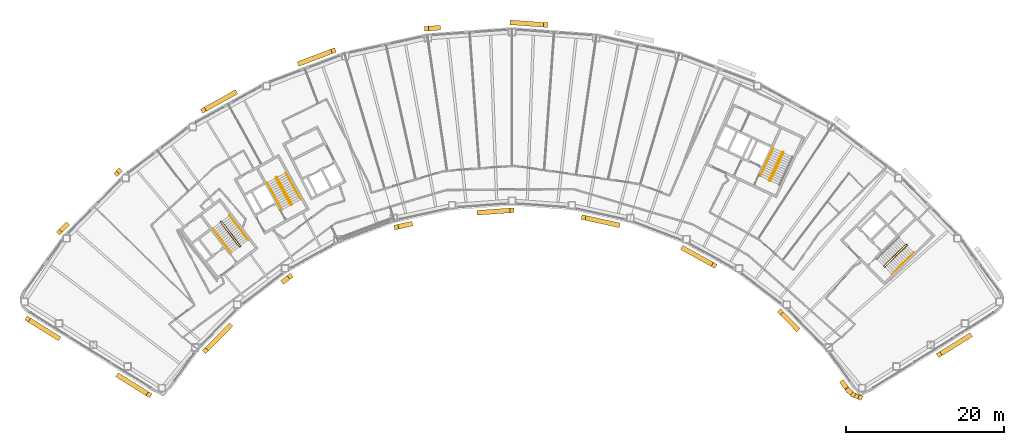
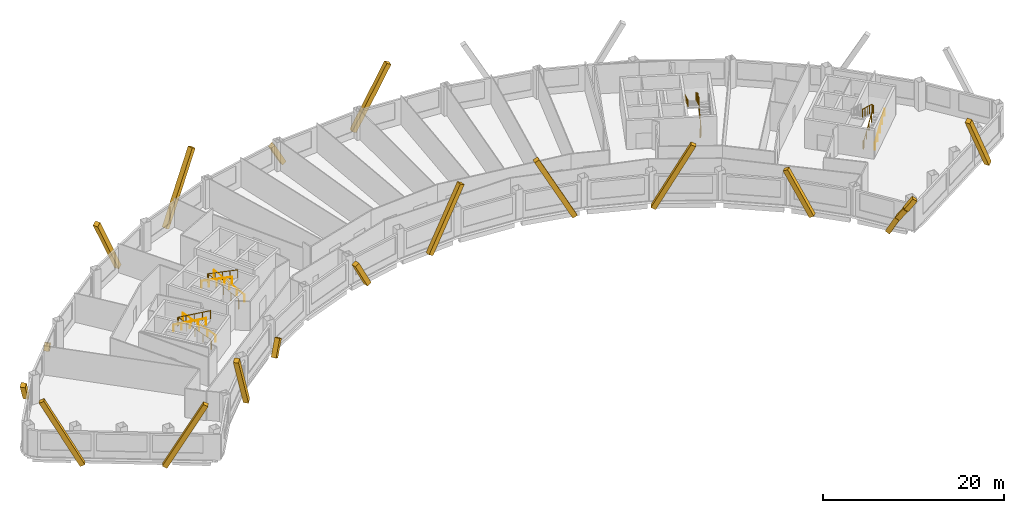
# One storey, part 12 of 13: 19 coverings, 10 railings.
"""IFC4 building model written with IfcOpenShell, lengths in metres."""

from ifc_helpers import new_model, si_unit, direction, frame, origin, origin_2d, place, context, subcontext, project, spatial, rectangle, circle, extrude, material, material_profile, profile_set, type_object, element, save


model = new_model("IFC4")

# Units and contexts
model_context = context("Model", 3, precision=1e-05, world=origin(), true_north=direction((0.0, 1.0)))
body_context = subcontext(model_context, "Body", "Model", "MODEL_VIEW")
ifc_project = project(units=[si_unit("LENGTHUNIT", "METRE"), si_unit("AREAUNIT", "SQUARE_METRE"), si_unit("VOLUMEUNIT", "CUBIC_METRE"), si_unit("PLANEANGLEUNIT", "RADIAN"), si_unit("MASSUNIT", "GRAM", prefix="KILO")], contexts=[model_context])

# Site, building, storey
site_placement = place(None, origin())
site = spatial("IfcSite", under=ifc_project, at=site_placement, CompositionType="ELEMENT")
building_placement = place(site_placement, origin())
building = spatial("IfcBuilding", under=site, at=building_placement, Name="Tuul Gate Civic Tower", CompositionType="ELEMENT")
storey_placement = place(building_placement, frame((0.0, 0.0, 180.5)))
storey = spatial("IfcBuildingStorey", under=building, at=storey_placement, Name="Level 41", CompositionType="ELEMENT", Elevation=180.5)

# Railings
ifc_material_1 = material(Name="Painted steel", Category="steel")
railing_type_1 = type_object("IfcRailingType", Name="Stair guard", PredefinedType="GUARDRAIL", material=ifc_material_1)
railing_1_placement = place(storey_placement, frame((-33.382080078125, -13.515380859375, 0.0)))
element("IfcRailing", 1, at=railing_1_placement, inside=storey, type_object=railing_type_1, Name="Level 41 ST-1 stair guard 1", PredefinedType="GUARDRAIL", context=body_context, shape_type="SweptSolid", body=[
    extrude(circle(Radius=0.02392578125, at=origin_2d()), frame((0.0, 0.0, 1.076171875), z_axis=(-0.795879841968, -0.605454603706, 0.0), x_axis=(0.605454603706, -0.795879841968, 0.0)), (0.0, 0.0, 1.0), 0.10009765625),
    extrude(circle(Radius=0.02392578125, at=origin_2d()), frame((-0.07958984375, -0.060546875, 1.076171875), z_axis=(0.408991890351, 0.599481263939, 0.688002796371), x_axis=(-0.826063974707, 0.563576356576, 0.0)), (0.0, 0.0, 1.0), 0.2177734375),
    extrude(circle(Radius=0.02392578125, at=origin_2d()), frame((0.009521484375, 0.070068359375, 1.22607421875), z_axis=(-0.541810893183, 0.711627203922, 0.44724454012), x_axis=(-0.795637165283, -0.60577347352, 0.0)), (0.0, 0.0, 1.0), 4.3603515625),
    extrude(circle(Radius=0.02392578125, at=origin_2d()), frame((-2.35302734375, 3.173095703125, 3.17626953125), z_axis=(-0.990893089246, 0.134650977284, 0.0), x_axis=(-0.134650977284, -0.990893089246, 0.0)), (0.0, 0.0, 1.0), 0.07080078125),
    extrude(circle(Radius=0.02392578125, at=origin_2d()), frame((-2.423095703125, 3.1826171875, 3.17626953125), z_axis=(-0.793802879778, -0.60817512943, 0.0), x_axis=(0.60817512943, -0.793802879778, 0.0)), (0.0, 0.0, 1.0), 0.099853515625),
    extrude(circle(Radius=0.02392578125, at=origin_2d()), frame((-2.50244140625, 3.121826171875, 3.17626953125), z_axis=(-0.057447065493, -0.422751481959, 0.904423031091), x_axis=(0.990893089246, -0.134650977284, 0.0)), (0.0, 0.0, 1.0), 0.165771484375),
    extrude(circle(Radius=0.02392578125, at=origin_2d()), frame((-2.511962890625, 3.0517578125, 3.326171875), z_axis=(0.541806494602, -0.71163897684, 0.447231136047), x_axis=(0.795644365679, 0.605764016233, 0.0)), (0.0, 0.0, 1.0), 4.360107421875),
    extrude(circle(Radius=0.02099609375, at=origin_2d()), origin(), (0.0, 0.0, 1.0), 1.052001953125),
    extrude(circle(Radius=0.02099609375, at=origin_2d()), frame((-0.07958984375, -0.060546875, 0.0)), (0.0, 0.0, 1.0), 1.052001953125),
    extrude(circle(Radius=0.02099609375, at=origin_2d()), frame((0.009521484375, 0.070068359375, 0.14990234375)), (0.0, 0.0, 1.0), 1.052001953125),
    extrude(circle(Radius=0.02099609375, at=origin_2d()), frame((-0.5810546875, 0.845703125, 0.637451171875)), (0.0, 0.0, 1.0), 1.052001953125),
    extrude(circle(Radius=0.02099609375, at=origin_2d()), frame((-1.171875, 1.62158203125, 1.125)), (0.0, 0.0, 1.0), 1.052001953125),
    extrude(circle(Radius=0.02099609375, at=origin_2d()), frame((-1.762451171875, 2.3974609375, 1.612548828125)), (0.0, 0.0, 1.0), 1.052001953125),
    extrude(circle(Radius=0.02099609375, at=origin_2d()), frame((-2.35302734375, 3.173095703125, 2.10009765625)), (0.0, 0.0, 1.0), 1.052001953125),
    extrude(circle(Radius=0.02099609375, at=origin_2d()), frame((-2.423095703125, 3.1826171875, 2.10009765625)), (0.0, 0.0, 1.0), 1.052001953125),
    extrude(circle(Radius=0.02099609375, at=origin_2d()), frame((-2.50244140625, 3.121826171875, 2.10009765625)), (0.0, 0.0, 1.0), 1.052001953125),
    extrude(circle(Radius=0.02099609375, at=origin_2d()), frame((-2.511962890625, 3.0517578125, 2.25)), (0.0, 0.0, 1.0), 1.052001953125),
    extrude(circle(Radius=0.02099609375, at=origin_2d()), frame((-1.92138671875, 2.276123046875, 2.737548828125)), (0.0, 0.0, 1.0), 1.052001953125),
    extrude(circle(Radius=0.02099609375, at=origin_2d()), frame((-1.330810546875, 1.50048828125, 3.22509765625)), (0.0, 0.0, 1.0), 1.052001953125),
    extrude(circle(Radius=0.02099609375, at=origin_2d()), frame((-0.740234375, 0.724609375, 3.71240234375)), (0.0, 0.0, 1.0), 1.052001953125),
    extrude(circle(Radius=0.02099609375, at=origin_2d()), frame((-0.149658203125, -0.051025390625, 4.199951171875)), (0.0, 0.0, 1.0), 1.052001953125),
])
railing_2_placement = place(storey_placement, frame((-26.857666015625, -8.247314453125, 0.0)))
element("IfcRailing", 2, at=railing_2_placement, inside=storey, type_object=railing_type_1, Name="Level 41 ST-2 stair guard 1", PredefinedType="GUARDRAIL", context=body_context, shape_type="SweptSolid", body=[
    extrude(circle(Radius=0.02392578125, at=origin_2d()), frame((0.0, 0.0, 1.076171875), z_axis=(-0.874616555828, -0.48481530532, 0.0), x_axis=(0.48481530532, -0.874616555828, 0.0)), (0.0, 0.0, 1.0), 0.10009765625),
    extrude(circle(Radius=0.02392578125, at=origin_2d()), frame((-0.087646484375, -0.048583984375, 1.076171875), z_axis=(0.49081399482, 0.534516610797, 0.688036056665), x_axis=(-0.736576986774, 0.676353711126, 0.0)), (0.0, 0.0, 1.0), 0.2177734375),
    extrude(circle(Radius=0.02392578125, at=origin_2d()), frame((0.019287109375, 0.06787109375, 1.22607421875), z_axis=(-0.433539057192, 0.782307594871, 0.447256875739), x_axis=(-0.874667644053, -0.484723129681, 0.0)), (0.0, 0.0, 1.0), 4.3603515625),
    extrude(circle(Radius=0.02392578125, at=origin_2d()), frame((-1.87109375, 3.47900390625, 3.17626953125), z_axis=(-0.961263487578, 0.275631107549, 0.0), x_axis=(-0.275631107549, -0.961263487578, 0.0)), (0.0, 0.0, 1.0), 0.07080078125),
    extrude(circle(Radius=0.02392578125, at=origin_2d()), frame((-1.939208984375, 3.49853515625, 3.17626953125), z_axis=(-0.874042088414, -0.485850211157, 0.0), x_axis=(0.485850211157, -0.874042088414, 0.0)), (0.0, 0.0, 1.0), 0.10009765625),
    extrude(circle(Radius=0.02392578125, at=origin_2d()), frame((-2.026611328125, 3.449951171875, 3.17626953125), z_axis=(-0.117866478395, -0.409586012422, 0.90462522168), x_axis=(0.961000426733, -0.276546885391, 0.0)), (0.0, 0.0, 1.0), 0.165771484375),
    extrude(circle(Radius=0.02392578125, at=origin_2d()), frame((-2.046142578125, 3.382080078125, 3.326171875), z_axis=(0.433595379963, -0.782308193291, 0.447201226726), x_axis=(0.874641102302, 0.484771020343, 0.0)), (0.0, 0.0, 1.0), 4.3603515625),
    extrude(circle(Radius=0.02099609375, at=origin_2d()), origin(), (0.0, 0.0, 1.0), 1.052001953125),
    extrude(circle(Radius=0.02099609375, at=origin_2d()), frame((-0.087646484375, -0.048583984375, 0.0)), (0.0, 0.0, 1.0), 1.052001953125),
    extrude(circle(Radius=0.02099609375, at=origin_2d()), frame((0.019287109375, 0.06787109375, 0.14990234375)), (0.0, 0.0, 1.0), 1.052001953125),
    extrude(circle(Radius=0.02099609375, at=origin_2d()), frame((-0.453369140625, 0.920654296875, 0.637451171875)), (0.0, 0.0, 1.0), 1.052001953125),
    extrude(circle(Radius=0.02099609375, at=origin_2d()), frame((-0.92578125, 1.7734375, 1.125)), (0.0, 0.0, 1.0), 1.052001953125),
    extrude(circle(Radius=0.02099609375, at=origin_2d()), frame((-1.3984375, 2.626220703125, 1.612548828125)), (0.0, 0.0, 1.0), 1.052001953125),
    extrude(circle(Radius=0.02099609375, at=origin_2d()), frame((-1.87109375, 3.47900390625, 2.10009765625)), (0.0, 0.0, 1.0), 1.052001953125),
    extrude(circle(Radius=0.02099609375, at=origin_2d()), frame((-1.939208984375, 3.49853515625, 2.10009765625)), (0.0, 0.0, 1.0), 1.052001953125),
    extrude(circle(Radius=0.02099609375, at=origin_2d()), frame((-2.026611328125, 3.449951171875, 2.10009765625)), (0.0, 0.0, 1.0), 1.052001953125),
    extrude(circle(Radius=0.02099609375, at=origin_2d()), frame((-2.046142578125, 3.382080078125, 2.25)), (0.0, 0.0, 1.0), 1.052001953125),
    extrude(circle(Radius=0.02099609375, at=origin_2d()), frame((-1.573486328125, 2.529296875, 2.737548828125)), (0.0, 0.0, 1.0), 1.052001953125),
    extrude(circle(Radius=0.02099609375, at=origin_2d()), frame((-1.100830078125, 1.676513671875, 3.22509765625)), (0.0, 0.0, 1.0), 1.052001953125),
    extrude(circle(Radius=0.02099609375, at=origin_2d()), frame((-0.628173828125, 0.82373046875, 3.71240234375)), (0.0, 0.0, 1.0), 1.052001953125),
    extrude(circle(Radius=0.02099609375, at=origin_2d()), frame((-0.155517578125, -0.029052734375, 4.199951171875)), (0.0, 0.0, 1.0), 1.052001953125),
])
railing_3_placement = place(storey_placement, frame((48.10546875, -16.134765625, 0.0)))
element("IfcRailing", 3, at=railing_3_placement, inside=storey, type_object=railing_type_1, Name="Level 41 ST-3 stair guard 1", PredefinedType="GUARDRAIL", context=body_context, shape_type="SweptSolid", body=[
    extrude(circle(Radius=0.02392578125, at=origin_2d()), frame((0.0, 0.0, 1.076171875), z_axis=(-0.698506948293, 0.715603272202, 0.0), x_axis=(-0.715603272202, -0.698506948293, 0.0)), (0.0, 0.0, 1.0), 0.099853515625),
    extrude(circle(Radius=0.02392578125, at=origin_2d()), frame((-0.06982421875, 0.071533203125, 1.076171875), z_axis=(0.645446321009, -0.331687692741, 0.688027849131), x_axis=(0.457068866502, 0.889431307788, 0.0)), (0.0, 0.0, 1.0), 0.2177734375),
    extrude(circle(Radius=0.02392578125, at=origin_2d()), frame((0.07080078125, -0.000732421875, 1.22607421875), z_axis=(0.638715268259, 0.626117886127, 0.447235059857), x_axis=(-0.700029477518, 0.714113947914, 0.0)), (0.0, 0.0, 1.0), 4.360595703125),
    extrude(circle(Radius=0.02392578125, at=origin_2d()), frame((2.85595703125, 2.7294921875, 3.17626953125), z_axis=(0.010380063588, 0.999946125689, 0.0), x_axis=(-0.999946125689, 0.010380063588, 0.0)), (0.0, 0.0, 1.0), 0.070556640625),
    extrude(circle(Radius=0.02392578125, at=origin_2d()), frame((2.856689453125, 2.800048828125, 3.17626953125), z_axis=(-0.699754442181, 0.714383454909, 0.0), x_axis=(-0.714383454909, -0.699754442181, 0.0)), (0.0, 0.0, 1.0), 0.10009765625),
    extrude(circle(Radius=0.02392578125, at=origin_2d()), frame((2.78662109375, 2.87158203125, 3.17626953125), z_axis=(-0.427069033481, 0.004417955519, 0.904208229508), x_axis=(-0.010344274102, -0.999946496565, 0.0)), (0.0, 0.0, 1.0), 0.165771484375),
    extrude(circle(Radius=0.02392578125, at=origin_2d()), frame((2.7158203125, 2.872314453125, 3.326171875), z_axis=(-0.638731261263, -0.626133563701, 0.447190268558), x_axis=(0.700029477518, -0.714113947914, 0.0)), (0.0, 0.0, 1.0), 4.3603515625),
    extrude(circle(Radius=0.02099609375, at=origin_2d()), origin(), (0.0, 0.0, 1.0), 1.052001953125),
    extrude(circle(Radius=0.02099609375, at=origin_2d()), frame((-0.06982421875, 0.071533203125, 0.0)), (0.0, 0.0, 1.0), 1.052001953125),
    extrude(circle(Radius=0.02099609375, at=origin_2d()), frame((0.07080078125, -0.000732421875, 0.14990234375)), (0.0, 0.0, 1.0), 1.052001953125),
    extrude(circle(Radius=0.02099609375, at=origin_2d()), frame((0.76708984375, 0.681884765625, 0.637451171875)), (0.0, 0.0, 1.0), 1.052001953125),
    extrude(circle(Radius=0.02099609375, at=origin_2d()), frame((1.46337890625, 1.3642578125, 1.125)), (0.0, 0.0, 1.0), 1.052001953125),
    extrude(circle(Radius=0.02099609375, at=origin_2d()), frame((2.15966796875, 2.046875, 1.612548828125)), (0.0, 0.0, 1.0), 1.052001953125),
    extrude(circle(Radius=0.02099609375, at=origin_2d()), frame((2.85595703125, 2.7294921875, 2.10009765625)), (0.0, 0.0, 1.0), 1.052001953125),
    extrude(circle(Radius=0.02099609375, at=origin_2d()), frame((2.856689453125, 2.800048828125, 2.10009765625)), (0.0, 0.0, 1.0), 1.052001953125),
    extrude(circle(Radius=0.02099609375, at=origin_2d()), frame((2.78662109375, 2.87158203125, 2.10009765625)), (0.0, 0.0, 1.0), 1.052001953125),
    extrude(circle(Radius=0.02099609375, at=origin_2d()), frame((2.7158203125, 2.872314453125, 2.25)), (0.0, 0.0, 1.0), 1.052001953125),
    extrude(circle(Radius=0.02099609375, at=origin_2d()), frame((2.01953125, 2.189697265625, 2.737548828125)), (0.0, 0.0, 1.0), 1.052001953125),
    extrude(circle(Radius=0.02099609375, at=origin_2d()), frame((1.3232421875, 1.50732421875, 3.22509765625)), (0.0, 0.0, 1.0), 1.052001953125),
    extrude(circle(Radius=0.02099609375, at=origin_2d()), frame((0.626953125, 0.82470703125, 3.71240234375)), (0.0, 0.0, 1.0), 1.052001953125),
    extrude(circle(Radius=0.02099609375, at=origin_2d()), frame((-0.0693359375, 0.14208984375, 4.199951171875)), (0.0, 0.0, 1.0), 1.052001953125),
])
railing_4_placement = place(storey_placement, frame((33.645751953125, -5.238525390625, 0.0)))
element("IfcRailing", 4, at=railing_4_placement, inside=storey, type_object=railing_type_1, Name="Level 41 ST-4 stair guard 1", PredefinedType="GUARDRAIL", context=body_context, shape_type="SweptSolid", body=[
    extrude(circle(Radius=0.02392578125, at=origin_2d()), frame((0.0, 0.0, 1.076171875), z_axis=(-0.906307919131, 0.422617978463, 0.0), x_axis=(-0.422617978463, -0.906307919131, 0.0)), (0.0, 0.0, 1.0), 0.099853515625),
    extrude(circle(Radius=0.02392578125, at=origin_2d()), frame((-0.090576171875, 0.042236328125, 1.076171875), z_axis=(0.720735628292, -0.082946246491, 0.688229666829), x_axis=(0.114330889033, 0.993442724979, 0.0)), (0.0, 0.0, 1.0), 0.2177734375),
    extrude(circle(Radius=0.02392578125, at=origin_2d()), frame((0.06640625, 0.024169921875, 1.22607421875), z_axis=(0.377937439636, 0.810633814971, 0.447253965602), x_axis=(-0.906336612539, 0.422556439746, 0.0)), (0.0, 0.0, 1.0), 4.3603515625),
    extrude(circle(Radius=0.02392578125, at=origin_2d()), frame((1.71435546875, 3.558837890625, 3.17626953125), z_axis=(-0.342020437038, 0.939692513883, 0.0), x_axis=(-0.939692513883, -0.342020437038, 0.0)), (0.0, 0.0, 1.0), 0.070556640625),
    extrude(circle(Radius=0.02392578125, at=origin_2d()), frame((1.690185546875, 3.625244140625, 3.17626953125), z_axis=(-0.906307919131, 0.422617978463, 0.0), x_axis=(-0.422617978463, -0.906307919131, 0.0)), (0.0, 0.0, 1.0), 0.099853515625),
    extrude(circle(Radius=0.02392578125, at=origin_2d()), frame((1.599609375, 3.66748046875, 3.17626953125), z_axis=(-0.40070210376, -0.145843780413, 0.904526072458), x_axis=(0.342020437038, -0.939692513883, 0.0)), (0.0, 0.0, 1.0), 0.165771484375),
    extrude(circle(Radius=0.02392578125, at=origin_2d()), frame((1.533203125, 3.643310546875, 3.326171875), z_axis=(-0.377946903738, -0.810654114417, 0.447209173356), x_axis=(0.906336612539, -0.422556439746, 0.0)), (0.0, 0.0, 1.0), 4.3603515625),
    extrude(circle(Radius=0.02099609375, at=origin_2d()), origin(), (0.0, 0.0, 1.0), 1.052001953125),
    extrude(circle(Radius=0.02099609375, at=origin_2d()), frame((-0.090576171875, 0.042236328125, 0.0)), (0.0, 0.0, 1.0), 1.052001953125),
    extrude(circle(Radius=0.02099609375, at=origin_2d()), frame((0.06640625, 0.024169921875, 0.14990234375)), (0.0, 0.0, 1.0), 1.052001953125),
    extrude(circle(Radius=0.02099609375, at=origin_2d()), frame((0.478515625, 0.90771484375, 0.637451171875)), (0.0, 0.0, 1.0), 1.052001953125),
    extrude(circle(Radius=0.02099609375, at=origin_2d()), frame((0.890380859375, 1.79150390625, 1.125)), (0.0, 0.0, 1.0), 1.052001953125),
    extrude(circle(Radius=0.02099609375, at=origin_2d()), frame((1.30224609375, 2.67529296875, 1.612548828125)), (0.0, 0.0, 1.0), 1.052001953125),
    extrude(circle(Radius=0.02099609375, at=origin_2d()), frame((1.71435546875, 3.558837890625, 2.10009765625)), (0.0, 0.0, 1.0), 1.052001953125),
    extrude(circle(Radius=0.02099609375, at=origin_2d()), frame((1.690185546875, 3.625244140625, 2.10009765625)), (0.0, 0.0, 1.0), 1.052001953125),
    extrude(circle(Radius=0.02099609375, at=origin_2d()), frame((1.599609375, 3.66748046875, 2.10009765625)), (0.0, 0.0, 1.0), 1.052001953125),
    extrude(circle(Radius=0.02099609375, at=origin_2d()), frame((1.533203125, 3.643310546875, 2.25)), (0.0, 0.0, 1.0), 1.052001953125),
    extrude(circle(Radius=0.02099609375, at=origin_2d()), frame((1.12109375, 2.759765625, 2.737548828125)), (0.0, 0.0, 1.0), 1.052001953125),
    extrude(circle(Radius=0.02099609375, at=origin_2d()), frame((0.709228515625, 1.8759765625, 3.22509765625)), (0.0, 0.0, 1.0), 1.052001953125),
    extrude(circle(Radius=0.02099609375, at=origin_2d()), frame((0.29736328125, 0.9921875, 3.71240234375)), (0.0, 0.0, 1.0), 1.052001953125),
    extrude(circle(Radius=0.02099609375, at=origin_2d()), frame((-0.11474609375, 0.108642578125, 4.199951171875)), (0.0, 0.0, 1.0), 1.052001953125),
])
ifc_material_2 = material(Name="Painted steel", Category="steel")
railing_type_2 = type_object("IfcRailingType", Name="Stair handrail", PredefinedType="HANDRAIL", material=ifc_material_2)
railing_5_placement = place(storey_placement, frame((-32.3779296875, -12.688232421875, 0.14990234375)))
element("IfcRailing", 5, at=railing_5_placement, inside=storey, type_object=railing_type_2, Name="Level 41 ST-1 stair handrail 1", PredefinedType="HANDRAIL", context=body_context, shape_type="SweptSolid", body=[
    extrude(circle(Radius=0.02392578125, at=origin_2d()), frame((0.0, 0.0, 0.8759765625), z_axis=(-0.541810893183, 0.711627203922, 0.44724454012), x_axis=(-0.795637165283, -0.60577347352, 0.0)), (0.0, 0.0, 1.0), 4.3603515625),
    extrude(circle(Radius=0.02099609375, at=origin_2d()), origin(), (0.0, 0.0, 1.0), 0.851806640625),
    extrude(circle(Radius=0.02099609375, at=origin_2d()), frame((-0.590576171875, 0.77587890625, 0.487548828125)), (0.0, 0.0, 1.0), 0.851806640625),
    extrude(circle(Radius=0.02099609375, at=origin_2d()), frame((-1.18115234375, 1.551513671875, 0.97509765625)), (0.0, 0.0, 1.0), 0.851806640625),
    extrude(circle(Radius=0.02099609375, at=origin_2d()), frame((-1.77197265625, 2.3271484375, 1.462646484375)), (0.0, 0.0, 1.0), 0.851806640625),
    extrude(circle(Radius=0.02099609375, at=origin_2d()), frame((-2.362548828125, 3.10302734375, 1.9501953125)), (0.0, 0.0, 1.0), 0.851806640625),
])
railing_6_placement = place(storey_placement, frame((-36.888671875, -11.220703125, 2.25)))
element("IfcRailing", 6, at=railing_6_placement, inside=storey, type_object=railing_type_2, Name="Level 41 ST-1 stair handrail 2", PredefinedType="HANDRAIL", context=body_context, shape_type="SweptSolid", body=[
    extrude(circle(Radius=0.02392578125, at=origin_2d()), frame((0.0, 0.0, 0.8759765625), z_axis=(0.541824460341, -0.711645023348, 0.447199748346), x_axis=(0.795637165283, 0.60577347352, 0.0)), (0.0, 0.0, 1.0), 4.3603515625),
    extrude(circle(Radius=0.02099609375, at=origin_2d()), origin(), (0.0, 0.0, 1.0), 0.851806640625),
    extrude(circle(Radius=0.02099609375, at=origin_2d()), frame((0.590576171875, -0.77587890625, 0.487548828125)), (0.0, 0.0, 1.0), 0.851806640625),
    extrude(circle(Radius=0.02099609375, at=origin_2d()), frame((1.18115234375, -1.551513671875, 0.97509765625)), (0.0, 0.0, 1.0), 0.851806640625),
    extrude(circle(Radius=0.02099609375, at=origin_2d()), frame((1.77197265625, -2.3271484375, 1.46240234375)), (0.0, 0.0, 1.0), 0.851806640625),
    extrude(circle(Radius=0.02099609375, at=origin_2d()), frame((2.362548828125, -3.10302734375, 1.949951171875)), (0.0, 0.0, 1.0), 0.851806640625),
])
railing_7_placement = place(storey_placement, frame((-25.744873046875, -7.573486328125, 0.14990234375)))
element("IfcRailing", 7, at=railing_7_placement, inside=storey, type_object=railing_type_2, Name="Level 41 ST-2 stair handrail 1", PredefinedType="HANDRAIL", context=body_context, shape_type="SweptSolid", body=[
    extrude(circle(Radius=0.02392578125, at=origin_2d()), frame((0.0, 0.0, 0.8759765625), z_axis=(-0.433584522764, 0.782288604346, 0.447246018574), x_axis=(-0.874641102302, -0.484771020343, 0.0)), (0.0, 0.0, 1.0), 4.3603515625),
    extrude(circle(Radius=0.02099609375, at=origin_2d()), origin(), (0.0, 0.0, 1.0), 0.851806640625),
    extrude(circle(Radius=0.02099609375, at=origin_2d()), frame((-0.47265625, 0.852783203125, 0.487548828125)), (0.0, 0.0, 1.0), 0.851806640625),
    extrude(circle(Radius=0.02099609375, at=origin_2d()), frame((-0.9453125, 1.70556640625, 0.97509765625)), (0.0, 0.0, 1.0), 0.851806640625),
    extrude(circle(Radius=0.02099609375, at=origin_2d()), frame((-1.41796875, 2.558349609375, 1.462646484375)), (0.0, 0.0, 1.0), 0.851806640625),
    extrude(circle(Radius=0.02099609375, at=origin_2d()), frame((-1.890625, 3.4111328125, 1.9501953125)), (0.0, 0.0, 1.0), 0.851806640625),
])
railing_8_placement = place(storey_placement, frame((-29.9970703125, -5.47119140625, 2.25)))
element("IfcRailing", 8, at=railing_8_placement, inside=storey, type_object=railing_type_2, Name="Level 41 ST-2 stair handrail 2", PredefinedType="HANDRAIL", context=body_context, shape_type="SweptSolid", body=[
    extrude(circle(Radius=0.02392578125, at=origin_2d()), frame((0.0, 0.0, 0.8759765625), z_axis=(0.433595379963, -0.782308193291, 0.447201226726), x_axis=(0.874641102302, 0.484771020343, 0.0)), (0.0, 0.0, 1.0), 4.3603515625),
    extrude(circle(Radius=0.02099609375, at=origin_2d()), origin(), (0.0, 0.0, 1.0), 0.851806640625),
    extrude(circle(Radius=0.02099609375, at=origin_2d()), frame((0.47265625, -0.852783203125, 0.487548828125)), (0.0, 0.0, 1.0), 0.851806640625),
    extrude(circle(Radius=0.02099609375, at=origin_2d()), frame((0.9453125, -1.70556640625, 0.97509765625)), (0.0, 0.0, 1.0), 0.851806640625),
    extrude(circle(Radius=0.02099609375, at=origin_2d()), frame((1.41796875, -2.558349609375, 1.46240234375)), (0.0, 0.0, 1.0), 0.851806640625),
    extrude(circle(Radius=0.02099609375, at=origin_2d()), frame((1.890625, -3.4111328125, 1.949951171875)), (0.0, 0.0, 1.0), 0.851806640625),
])
railing_9_placement = place(storey_placement, frame((49.05126953125, -17.028076171875, 0.14990234375)))
element("IfcRailing", 9, at=railing_9_placement, inside=storey, type_object=railing_type_2, Name="Level 41 ST-3 stair handrail 1", PredefinedType="HANDRAIL", context=body_context, shape_type="SweptSolid", body=[
    extrude(circle(Radius=0.02392578125, at=origin_2d()), frame((0.0, 0.0, 0.8759765625), z_axis=(0.638737658801, 0.626083844733, 0.447250737947), x_axis=(-0.699997553204, 0.714145241186, 0.0)), (0.0, 0.0, 1.0), 4.3603515625),
    extrude(circle(Radius=0.02099609375, at=origin_2d()), origin(), (0.0, 0.0, 1.0), 0.851806640625),
    extrude(circle(Radius=0.02099609375, at=origin_2d()), frame((0.6962890625, 0.6826171875, 0.487548828125)), (0.0, 0.0, 1.0), 0.851806640625),
    extrude(circle(Radius=0.02099609375, at=origin_2d()), frame((1.392578125, 1.364990234375, 0.97509765625)), (0.0, 0.0, 1.0), 0.851806640625),
    extrude(circle(Radius=0.02099609375, at=origin_2d()), frame((2.0888671875, 2.04736328125, 1.462646484375)), (0.0, 0.0, 1.0), 0.851806640625),
    extrude(circle(Radius=0.02099609375, at=origin_2d()), frame((2.78515625, 2.72998046875, 1.9501953125)), (0.0, 0.0, 1.0), 0.851806640625),
])
railing_10_placement = place(storey_placement, frame((34.046142578125, -1.06689453125, 2.25)))
element("IfcRailing", 10, at=railing_10_placement, inside=storey, type_object=railing_type_2, Name="Level 41 ST-4 stair handrail 2", PredefinedType="HANDRAIL", context=body_context, shape_type="SweptSolid", body=[
    extrude(circle(Radius=0.02392578125, at=origin_2d()), frame((0.0, 0.0, 0.8759765625), z_axis=(-0.377994896215, -0.810636958585, 0.447199709091), x_axis=(0.906312636903, -0.422607861012, 0.0)), (0.0, 0.0, 1.0), 4.3603515625),
    extrude(circle(Radius=0.02099609375, at=origin_2d()), origin(), (0.0, 0.0, 1.0), 0.851806640625),
    extrude(circle(Radius=0.02099609375, at=origin_2d()), frame((-0.412109375, -0.8837890625, 0.487548828125)), (0.0, 0.0, 1.0), 0.851806640625),
    extrude(circle(Radius=0.02099609375, at=origin_2d()), frame((-0.82421875, -1.767333984375, 0.97509765625)), (0.0, 0.0, 1.0), 0.851806640625),
    extrude(circle(Radius=0.02099609375, at=origin_2d()), frame((-1.236083984375, -2.65087890625, 1.46240234375)), (0.0, 0.0, 1.0), 0.851806640625),
    extrude(circle(Radius=0.02099609375, at=origin_2d()), frame((-1.648193359375, -3.53466796875, 1.949951171875)), (0.0, 0.0, 1.0), 0.851806640625),
])

# Coverings
ifc_material_3 = material(Name="Terracotta baguette", Category="masonry")
ifc_material_profile = material_profile(ifc_material_3, rectangle(XDim=0.60009765625, YDim=0.60009765625, at=origin_2d()), Name="Terracotta baguette screen frame")
ifc_profile_set = profile_set([ifc_material_profile], Name="Terracotta baguette")
covering_type = type_object("IfcCoveringType", Name="Terracotta baguette screen frame", PredefinedType="CLADDING", material=ifc_profile_set)
covering_1_placement = place(storey_placement, frame((58.89111328125, -24.809814453125, -0.35009765625), z_axis=(-0.402283964458, -0.251379504598, 0.880327187248), x_axis=(0.529926214669, -0.848043753002, 0.0)))
element("IfcCovering", 11, at=covering_1_placement, inside=storey, type_object=covering_type, Name="Baguette 3", PredefinedType="CLADDING", context=body_context, shape_type="SweptSolid", body=[
    extrude(rectangle(XDim=0.60009765625, YDim=0.60009765625, at=origin_2d()), origin(), (0.0, 0.0, 1.0), 9.5419921875),
])
covering_2_placement = place(storey_placement, frame((5.245849609375, 14.5107421875, 8.050048828125), z_axis=(-0.473919146145, 0.034336844974, -0.87989864416), x_axis=(-0.072263537098, -0.997385572989, 0.0)))
element("IfcCovering", 12, at=covering_2_placement, inside=storey, type_object=covering_type, Name="Baguette 69", PredefinedType="CLADDING", context=body_context, shape_type="SweptSolid", body=[
    extrude(rectangle(XDim=0.60009765625, YDim=0.60009765625, at=origin_2d()), origin(), (0.0, 0.0, 1.0), 8.980224609375),
])
covering_3_placement = place(storey_placement, frame((-8.3271484375, 14.144287109375, -0.35009765625), z_axis=(-0.473966823336, -0.034337628854, 0.879872932656), x_axis=(0.072257946867, -0.997385978002, 0.0)))
element("IfcCovering", 13, at=covering_3_placement, inside=storey, type_object=covering_type, Name="Baguette 81", PredefinedType="CLADDING", context=body_context, shape_type="SweptSolid", body=[
    extrude(rectangle(XDim=0.60009765625, YDim=0.60009765625, at=origin_2d()), origin(), (0.0, 0.0, 1.0), 3.17822265625),
])
for number, where, z_axis, x_axis, name in (
    (14, (-21.596923828125, 11.25830078125, 8.050048828125), (-0.444437096235, -0.168092815096, -0.879897990112), (0.353758489664, -0.935336800832, 0.0), "Baguette 93"),
    (15, (-34.08251953125, 5.91943359375, -0.35009765625), (-0.415589804816, -0.230363236834, 0.879896524171), (0.484806475071, -0.874621450531, 0.0), "Baguette 102"),
):
    element("IfcCovering", number, at=place(storey_placement, frame(where, z_axis=z_axis, x_axis=x_axis)), inside=storey, type_object=covering_type, Name=name, PredefinedType="CLADDING", context=body_context, shape_type="SweptSolid", body=[
        extrude(rectangle(XDim=0.60009765625, YDim=0.60009765625, at=origin_2d()), origin(), (0.0, 0.0, 1.0), 9.546630859375),
    ])
covering_4_placement = place(storey_placement, frame((-48.70361328125, -3.97314453125, 0.47900390625), z_axis=(-0.332665127515, -0.339401337262, -0.879852626978), x_axis=(0.714158332197, -0.69998419736, 0.0)))
element("IfcCovering", 16, at=covering_4_placement, inside=storey, type_object=covering_type, Name="Baguette 112", PredefinedType="CLADDING", context=body_context, shape_type="SweptSolid", body=[
    extrude(rectangle(XDim=0.60009765625, YDim=0.60009765625, at=origin_2d()), origin(), (0.0, 0.0, 1.0), 0.9423828125),
])
covering_5_placement = place(storey_placement, frame((-55.3681640625, -10.771484375, -0.35009765625), z_axis=(-0.332594617823, -0.339307536714, 0.879915459419), x_axis=(0.714135785527, -0.700007199842, 0.0)))
element("IfcCovering", 17, at=covering_5_placement, inside=storey, type_object=covering_type, Name="Baguette 123", PredefinedType="CLADDING", context=body_context, shape_type="SweptSolid", body=[
    extrude(rectangle(XDim=0.60009765625, YDim=0.60009765625, at=origin_2d()), origin(), (0.0, 0.0, 1.0), 2.80029296875),
])
for number, where, z_axis, x_axis, name in (
    (18, (-60.29443359375, -22.69580078125, 8.050048828125), (0.402283964458, -0.251379504598, -0.880327187248), (0.529926214669, 0.848043753002, 0.0), "Baguette 147"),
    (19, (-48.778076171875, -29.891845703125, -0.35009765625), (0.402286551729, -0.25135553547, 0.880332849033), (0.529887423043, 0.848067991909, 0.0), "Baguette 154"),
):
    element("IfcCovering", number, at=place(storey_placement, frame(where, z_axis=z_axis, x_axis=x_axis)), inside=storey, type_object=covering_type, Name=name, PredefinedType="CLADDING", context=body_context, shape_type="SweptSolid", body=[
        extrude(rectangle(XDim=0.60009765625, YDim=0.60009765625, at=origin_2d()), origin(), (0.0, 0.0, 1.0), 9.5419921875),
    ])
covering_6_placement = place(storey_placement, frame((-37.81640625, -26.72216796875, 8.050048828125), z_axis=(0.326348898323, 0.332854277402, -0.884705841836), x_axis=(-0.714050130155, 0.700094573344, 0.0)))
element("IfcCovering", 20, at=covering_6_placement, inside=storey, type_object=covering_type, Name="Baguette 178", PredefinedType="CLADDING", context=body_context, shape_type="SweptSolid", body=[
    extrude(rectangle(XDim=0.60009765625, YDim=0.60009765625, at=origin_2d()), origin(), (0.0, 0.0, 1.0), 9.494873046875),
])
covering_7_placement = place(storey_placement, frame((-27.912353515625, -17.930419921875, -0.35009765625), z_axis=(0.370867646843, 0.282441675978, 0.884694234296), x_axis=(-0.605874698824, 0.795560085302, 0.0)))
element("IfcCovering", 21, at=covering_7_placement, inside=storey, type_object=covering_type, Name="Baguette 188", PredefinedType="CLADDING", context=body_context, shape_type="SweptSolid", body=[
    extrude(rectangle(XDim=0.60009765625, YDim=0.60009765625, at=origin_2d()), origin(), (0.0, 0.0, 1.0), 2.247314453125),
])
covering_8_placement = place(storey_placement, frame((-13.652587890625, -11.07568359375, 3.10498046875), z_axis=(0.455229347503, 0.100335498866, -0.884702791247), x_axis=(-0.215240395152, 0.976561095014, 0.0)))
element("IfcCovering", 22, at=covering_8_placement, inside=storey, type_object=covering_type, Name="Baguette 201", PredefinedType="CLADDING", context=body_context, shape_type="SweptSolid", body=[
    extrude(rectangle(XDim=0.60009765625, YDim=0.60009765625, at=origin_2d()), origin(), (0.0, 0.0, 1.0), 3.9052734375),
])
covering_9_placement = place(storey_placement, frame((-3.16259765625, -9.243896484375, -0.35009765625), z_axis=(0.464942517396, 0.033676828822, 0.884700133784), x_axis=(-0.072242980808, 0.99738706214, 0.0)))
element("IfcCovering", 23, at=covering_9_placement, inside=storey, type_object=covering_type, Name="Baguette 214", PredefinedType="CLADDING", context=body_context, shape_type="SweptSolid", body=[
    extrude(rectangle(XDim=0.60009765625, YDim=0.60009765625, at=origin_2d()), origin(), (0.0, 0.0, 1.0), 8.931396484375),
])
for number, where, z_axis, x_axis, name in (
    (24, (10.04541015625, -9.84423828125, 8.050048828125), (0.455222659442, -0.100332061519, -0.884706622425), (0.215236378617, 0.976561980276, 0.0), "Baguette 226"),
    (25, (22.6923828125, -13.7666015625, -0.35009765625), (0.407704791436, -0.225991259582, 0.884706026674), (0.484804374507, 0.87462261488, 0.0), "Baguette 237"),
):
    element("IfcCovering", number, at=place(storey_placement, frame(where, z_axis=z_axis, x_axis=x_axis)), inside=storey, type_object=covering_type, Name=name, PredefinedType="CLADDING", context=body_context, shape_type="SweptSolid", body=[
        extrude(rectangle(XDim=0.60009765625, YDim=0.60009765625, at=origin_2d()), origin(), (0.0, 0.0, 1.0), 9.494873046875),
    ])
covering_10_placement = place(storey_placement, frame((34.96044921875, -21.789794921875, 5.3564453125), z_axis=(0.326343492954, -0.332853708773, -0.884708049677), x_axis=(0.714055329058, 0.700089270768, 0.0)))
element("IfcCovering", 26, at=covering_10_placement, inside=storey, type_object=covering_type, Name="Baguette 247", PredefinedType="CLADDING", context=body_context, shape_type="SweptSolid", body=[
    extrude(rectangle(XDim=0.60009765625, YDim=0.60009765625, at=origin_2d()), origin(), (0.0, 0.0, 1.0), 6.4501953125),
])
covering_11_placement = place(storey_placement, frame((42.818603515625, -30.73583984375, -0.35009765625), z_axis=(0.278589118083, -0.381633044218, 0.881330995056), x_axis=(0.807690018687, 0.589607355546, 0.0)))
element("IfcCovering", 27, at=covering_11_placement, inside=storey, type_object=covering_type, Name="Baguette 264", PredefinedType="CLADDING", context=body_context, shape_type="SweptSolid", body=[
    extrude(rectangle(XDim=0.60009765625, YDim=0.60009765625, at=origin_2d()), origin(), (0.0, 0.0, 1.0), 2.43798828125),
])
covering_12_placement = place(storey_placement, frame((43.497802734375, -31.666259765625, 1.798583984375), z_axis=(0.418412697541, -0.391718712386, 0.819443265213), x_axis=(0.683436569223, 0.730009901199, 0.0)))
element("IfcCovering", 28, at=covering_12_placement, inside=storey, type_object=covering_type, Name="Baguette 265", PredefinedType="CLADDING", context=body_context, shape_type="SweptSolid", body=[
    extrude(rectangle(XDim=0.60009765625, YDim=0.60009765625, at=origin_2d()), origin(), (0.0, 0.0, 1.0), 1.572998046875),
])
covering_13_placement = place(storey_placement, frame((44.156005859375, -32.282470703125, 3.087646484375), z_axis=(0.559918287105, -0.222729092093, 0.798049662177), x_axis=(0.369618596292, 0.929183562745, 0.0)))
element("IfcCovering", 29, at=covering_13_placement, inside=storey, type_object=covering_type, Name="Baguette 266", PredefinedType="CLADDING", context=body_context, shape_type="SweptSolid", body=[
    extrude(rectangle(XDim=0.60009765625, YDim=0.60009765625, at=origin_2d()), origin(), (0.0, 0.0, 1.0), 1.61669921875),
])

save(model, "model.ifc")
